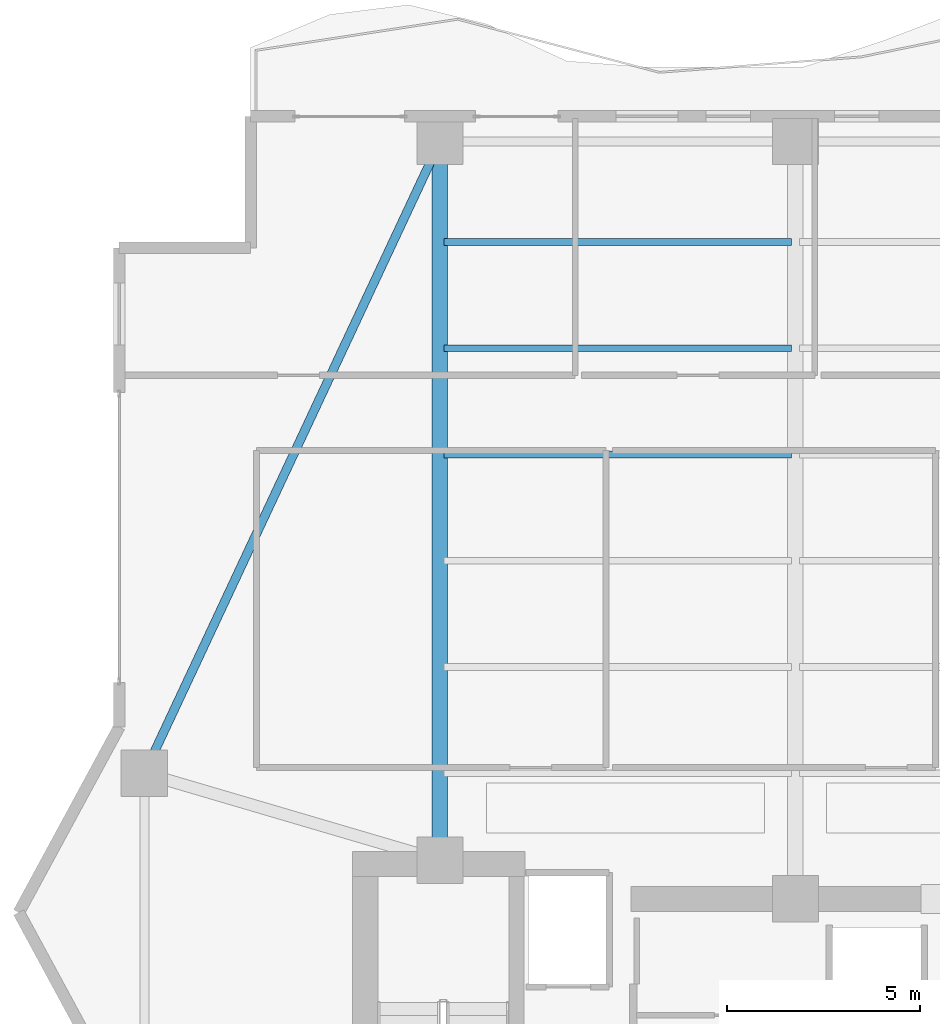
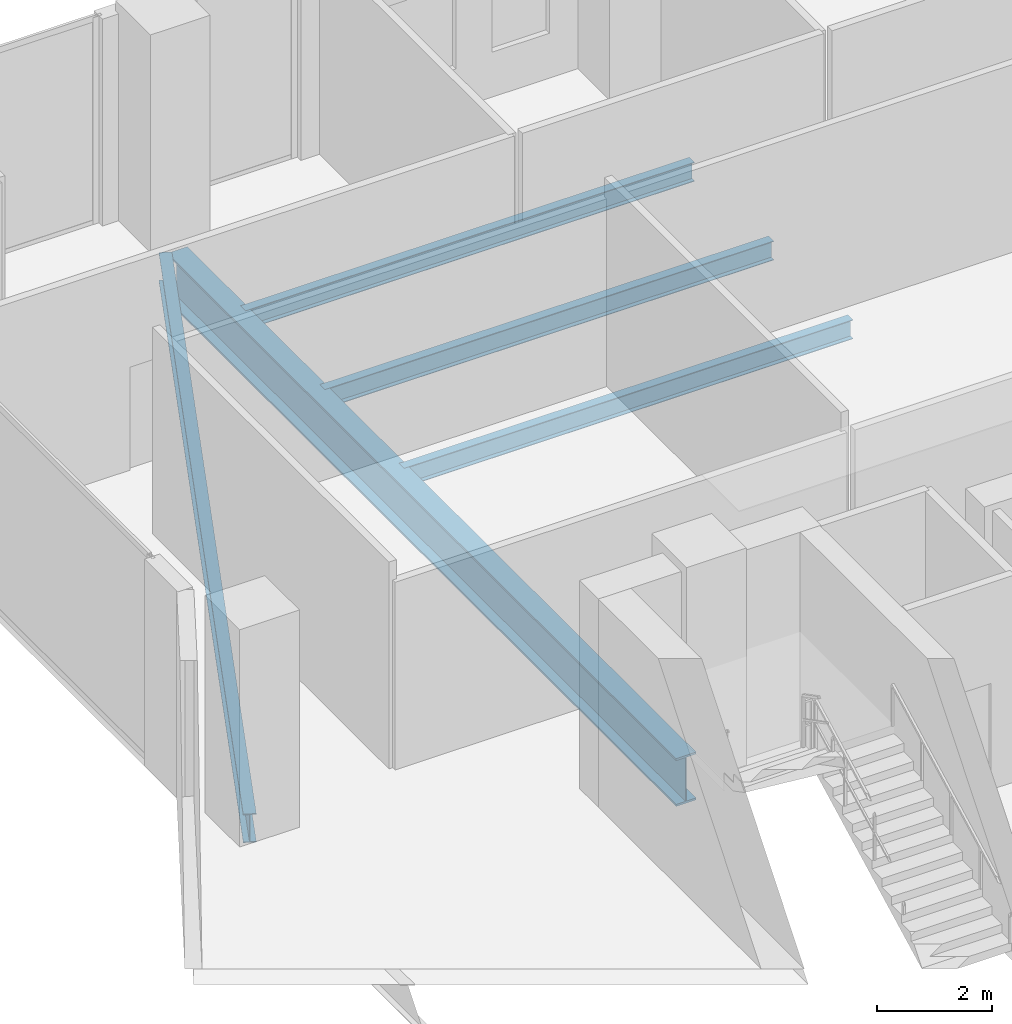
# One storey, part 16 of 31: 5 beams.
"""IFC4 building model written with IfcOpenShell, lengths in metres."""

from ifc_helpers import new_model, si_unit, direction, frame, origin, origin_2d, place, context, subcontext, project, spatial, i_section, extrude, material, material_profile, profile_set, type_object, element, save


model = new_model("IFC4")

# Units and contexts
model_context = context("Model", 3, precision=1e-05, world=origin(), true_north=direction((0.0, 1.0)))
body_context = subcontext(model_context, "Body", "Model", "MODEL_VIEW")
ifc_project = project(units=[si_unit("LENGTHUNIT", "METRE"), si_unit("AREAUNIT", "SQUARE_METRE"), si_unit("VOLUMEUNIT", "CUBIC_METRE"), si_unit("PLANEANGLEUNIT", "RADIAN"), si_unit("MASSUNIT", "GRAM", prefix="KILO")], contexts=[model_context])

# Site, building, storey
site_placement = place(None, origin())
site = spatial("IfcSite", under=ifc_project, at=site_placement, CompositionType="ELEMENT")
building_placement = place(site_placement, origin())
building = spatial("IfcBuilding", under=site, at=building_placement, Name="Zuhayl Quay Hotel", CompositionType="ELEMENT")
storey_placement = place(building_placement, frame((0.0, 0.0, 172.800048828125)))
storey = spatial("IfcBuildingStorey", under=building, at=storey_placement, Name="L43", CompositionType="ELEMENT", Elevation=172.800048828125)

# Beams
ifc_material = material(Name="Steel ASTM A992 Grade 50", Category="steel")
ifc_material_profile_1 = material_profile(ifc_material, i_section(OverallWidth=0.22802734375, OverallDepth=0.60693359375, WebThickness=0.01123046875, FlangeThickness=0.017333984375, at=origin_2d()), Name="W24X76")
ifc_profile_set_1 = profile_set([ifc_material_profile_1], Name="Steel ASTM A992 Grade 50")
beam_type_1 = type_object("IfcBeamType", Name="BM_B3_W24X76", PredefinedType="BEAM", material=ifc_profile_set_1)
beam_1_placement = place(storey_placement, frame((-14.011962890625, 32.4970703125, -0.5234375), z_axis=(-0.423792164429, -0.905759461098, 0.0), x_axis=(0.905759461098, -0.423792164429, 0.0)))
element("IfcBeam", 1, at=beam_1_placement, inside=storey, type_object=beam_type_1, Name="L43 Floor Beam RG_L43_10", PredefinedType="BEAM", context=body_context, shape_type="SweptSolid", body=[
    extrude(i_section(OverallWidth=0.22802734375, OverallDepth=0.60693359375, WebThickness=0.01123046875, FlangeThickness=0.017333984375, at=origin_2d()), origin(), (0.0, 0.0, 1.0), 17.051025390625),
])
ifc_material_profile_2 = material_profile(ifc_material, i_section(OverallWidth=0.177978515625, OverallDepth=0.406005859375, WebThickness=0.0078125, FlangeThickness=0.0126953125, at=origin_2d()), Name="W16X40")
ifc_profile_set_2 = profile_set([ifc_material_profile_2], Name="Steel ASTM A992 Grade 50")
beam_type_2 = type_object("IfcBeamType", Name="BM_J2B_W16X40", PredefinedType="JOIST", material=ifc_profile_set_2)
for number, where, z_axis, x_axis, name in (
    (2, (-13.694091796875, 24.85009765625, -0.423095703125), (1.0, 0.0, 0.0), (0.0, 1.0, 0.0), "L43 Floor Beam FJ_L43_4_1"),
    (3, (-13.694091796875, 27.60009765625, -0.423095703125), (1.0, 0.0, 0.0), (0.0, 1.0, 0.0), "L43 Floor Beam FJ_L43_5_1"),
    (4, (-13.694091796875, 30.35009765625, -0.423095703125), (1.0, 0.0, 0.0), (0.0, 1.0, 0.0), "L43 Floor Beam FJ_L43_6_1"),
):
    element("IfcBeam", number, at=place(storey_placement, frame(where, z_axis=z_axis, x_axis=x_axis)), inside=storey, type_object=beam_type_2, Name=name, PredefinedType="JOIST", context=body_context, shape_type="SweptSolid", body=[
        extrude(i_section(OverallWidth=0.177978515625, OverallDepth=0.406005859375, WebThickness=0.0078125, FlangeThickness=0.0126953125, at=origin_2d()), origin(), (0.0, 0.0, 1.0), 8.988037109375),
    ])
ifc_material_profile_3 = material_profile(ifc_material, i_section(OverallWidth=0.40087890625, OverallDepth=1.010986328125, WebThickness=0.023681640625, FlangeThickness=0.0419921875, at=origin_2d()), Name="W40X297")
ifc_profile_set_3 = profile_set([ifc_material_profile_3], Name="Steel ASTM A992 Grade 50")
beam_type_3 = type_object("IfcBeamType", Name="BM_TG2_W40X297", PredefinedType="BEAM", material=ifc_profile_set_3)
beam_2_placement = place(storey_placement, frame((-13.800048828125, 14.800048828125, -0.7255859375), z_axis=(0.0, 1.0, 0.0), x_axis=(-1.0, 0.0, 0.0)))
element("IfcBeam", 5, at=beam_2_placement, inside=storey, type_object=beam_type_3, Name="L43 Floor Beam FG_N_L43_1", PredefinedType="BEAM", context=body_context, shape_type="SweptSolid", body=[
    extrude(i_section(OverallWidth=0.40087890625, OverallDepth=1.010986328125, WebThickness=0.023681640625, FlangeThickness=0.0419921875, at=origin_2d()), origin(), (0.0, 0.0, 1.0), 17.64990234375),
])

save(model, "model.ifc")
